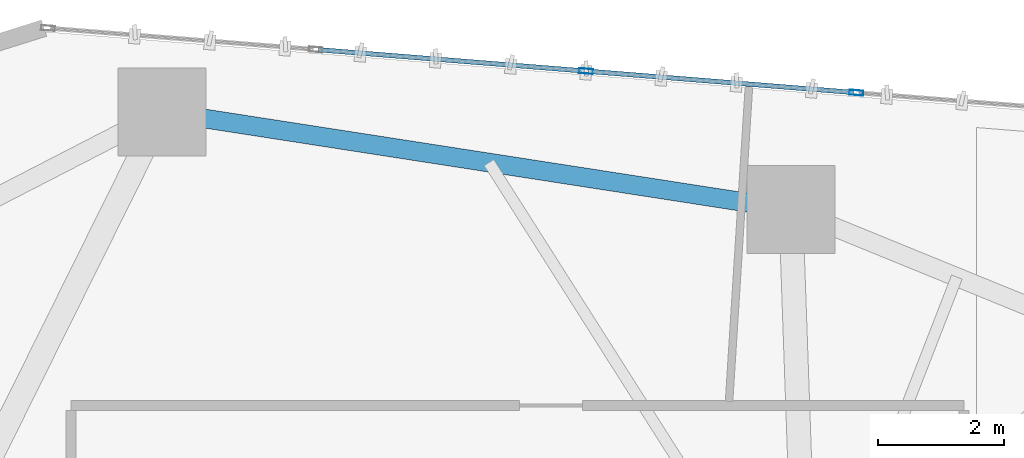
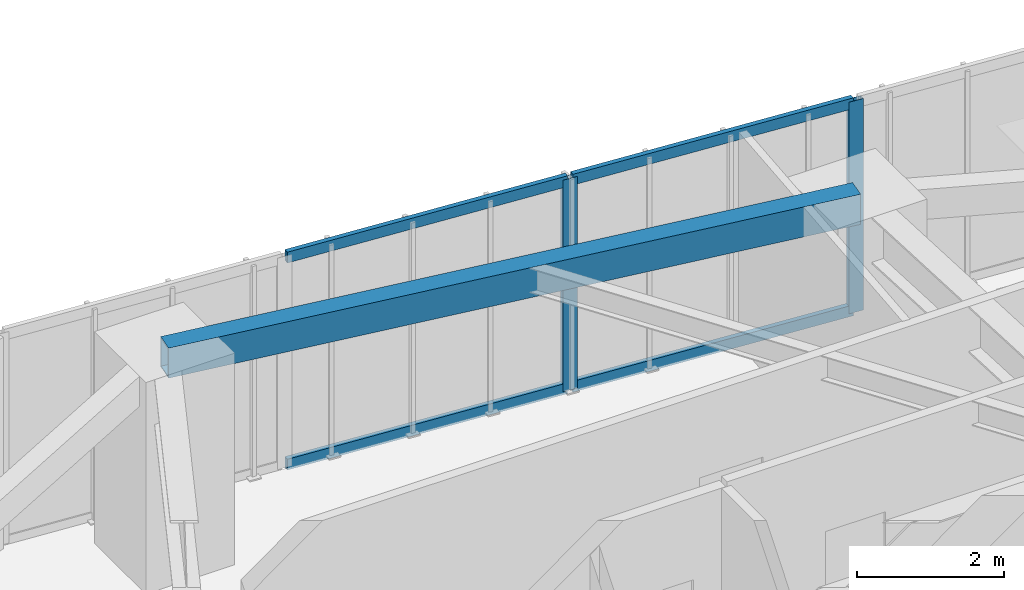
# One storey, part 15 of 23: 6 members, 1 beam, 1 element without a shape of its own.
"""IFC4 building model written with IfcOpenShell, lengths in metres."""

from ifc_helpers import new_model, si_unit, direction, frame, origin, origin_2d, place, context, subcontext, project, spatial, hollow_rectangle, extrude, source, transform, mapped, material, layer, layer_set, material_profile, profile_set, type_object, type_shapes, element, aggregate, save


model = new_model("IFC4")

# Units and contexts
model_context = context("Model", 3, precision=1e-05, world=origin(), true_north=direction((0.0, 1.0)))
body_context = subcontext(model_context, "Body", "Model", "MODEL_VIEW")
ifc_project = project(units=[si_unit("LENGTHUNIT", "METRE"), si_unit("AREAUNIT", "SQUARE_METRE"), si_unit("VOLUMEUNIT", "CUBIC_METRE"), si_unit("PLANEANGLEUNIT", "RADIAN"), si_unit("MASSUNIT", "GRAM", prefix="KILO")], contexts=[model_context])

# Site, building, storey
site_placement = place(None, origin())
site = spatial("IfcSite", under=ifc_project, at=site_placement, CompositionType="ELEMENT")
building_placement = place(site_placement, origin())
building = spatial("IfcBuilding", under=site, at=building_placement, Name="Talar Marvaseh", CompositionType="ELEMENT")
storey_placement = place(building_placement, frame((0.0, 0.0, 77.199951171875)))
storey = spatial("IfcBuildingStorey", under=building, at=storey_placement, Name="L19", CompositionType="ELEMENT", Elevation=77.199951171875)

# Beam
ifc_material_1 = material(Name="Steel S355", Category="steel")
ifc_material_profile_1 = material_profile(ifc_material_1, hollow_rectangle(XDim=0.300048828125, YDim=0.5, WallThickness=0.02001953125, at=origin_2d()), Name="RHS500x300x20")
ifc_profile_set_1 = profile_set([ifc_material_profile_1], Name="Steel S355")
beam_type = type_object("IfcBeamType", Name="Zone 1 Perimeter Spandrel Beam RHS500x300x20", PredefinedType="SPANDREL", material=ifc_profile_set_1)
beam_placement = place(storey_placement, frame((23.047119140625, 45.6669921875, 3.27001953125), z_axis=(0.988210751461, -0.153099675693, 0.0), x_axis=(0.153099675693, 0.988210751461, 0.0)))
element("IfcBeam", 1, at=beam_placement, inside=storey, type_object=beam_type, Name="L19 Zone 1 Perimeter Spandrel Beam RHS500x300x20", PredefinedType="SPANDREL", context=body_context, shape_type="SweptSolid", body=[
    extrude(hollow_rectangle(XDim=0.300048828125, YDim=0.5, WallThickness=0.02001953125, at=origin_2d()), origin(), (0.0, 0.0, 1.0), 10.1181640625),
])

# Curtain wall, members
ifc_material_2 = material(Name="Architectural Aluminium", Category="aluminium")
ifc_layer = layer(ifc_material_2, 0.219970703125)
ifc_layer_set = layer_set([ifc_layer], Name="Architectural Aluminium")
curtain_wall_type = type_object("IfcCurtainWallType", Name="Unitised Low-E Museum Curtain Wall Z1", PredefinedType="NOTDEFINED", material=ifc_layer_set)
curtain_wall_placement = place(storey_placement, origin())
curtain_wall = element("IfcCurtainWall", 2, at=curtain_wall_placement, inside=storey, type_object=curtain_wall_type, Name="L19 Unitised Low-E Museum Curtain Wall Z1", PredefinedType="NOTDEFINED")
ifc_material_profile_2 = material_profile(ifc_material_2, hollow_rectangle(XDim=0.080078125, YDim=0.219970703125, WallThickness=0.0048828125, at=origin_2d()), Name="RHS220x80x5")
ifc_profile_set_2 = profile_set([ifc_material_profile_2], Name="Architectural Aluminium")
member_type_1 = type_object("IfcMemberType", Name="Unitised Curtain Wall Heavy Mullion RHS220x80x5", PredefinedType="MULLION", material=ifc_profile_set_2)
shared_shape_1 = source(origin(), body_context, "Body", "SweptSolid", [
    extrude(hollow_rectangle(XDim=0.080078125, YDim=0.219970703125, WallThickness=0.0048828125, at=origin_2d()), origin(), (0.0, 0.0, 1.0), 3.52001953125),
])
type_shapes(member_type_1, [shared_shape_1])
member_1_placement = place(storey_placement, frame((29.789794921875, 46.316162109375, 0.0), z_axis=(0.0, 0.0, 1.0), x_axis=(0.079640140412, 0.996823679512, 0.0)))
member_1 = element("IfcMember", 3, at=member_1_placement, type_object=member_type_1, Name="CW-Z1 mullion 3", PredefinedType="MULLION", context=body_context, shape_type="MappedRepresentation", body=[
    mapped(shared_shape_1, transform((0.0, 0.0, 0.0), x_axis=(1.0, 0.0, 0.0), y_axis=(0.0, 1.0, 0.0), z_axis=(0.0, 0.0, 1.0), scale=1.0)),
])
member_2_placement = place(storey_placement, frame((34.088134765625, 45.97265625, 0.0), z_axis=(0.0, 0.0, 1.0), x_axis=(0.079640140412, 0.996823679512, 0.0)))
member_2 = element("IfcMember", 4, at=member_2_placement, type_object=member_type_1, Name="CW-Z1 mullion 4", PredefinedType="MULLION", context=body_context, shape_type="MappedRepresentation", body=[
    mapped(shared_shape_1, transform((0.0, 0.0, 0.0), x_axis=(1.0, 0.0, 0.0), y_axis=(0.0, 1.0, 0.0), z_axis=(0.0, 0.0, 1.0), scale=1.0)),
])
ifc_material_profile_3 = material_profile(ifc_material_2, hollow_rectangle(XDim=0.074951171875, YDim=0.179931640625, WallThickness=0.0048828125, at=origin_2d()), Name="RHS180x75x5")
ifc_profile_set_3 = profile_set([ifc_material_profile_3], Name="Architectural Aluminium")
member_type_2 = type_object("IfcMemberType", Name="Unitised Curtain Wall Transom RHS180x75x5", PredefinedType="USERDEFINED", material=ifc_profile_set_3)
shared_shape_2 = source(origin(), body_context, "Body", "SweptSolid", [
    extrude(hollow_rectangle(XDim=0.074951171875, YDim=0.179931640625, WallThickness=0.0048828125, at=origin_2d()), origin(), (0.0, 0.0, 1.0), 4.23193359375),
])
type_shapes(member_type_2, [shared_shape_2])
member_3_placement = place(storey_placement, frame((25.531494140625, 46.65625, 0.03759765625), z_axis=(0.996825908842, -0.079612231854, 0.0), x_axis=(0.079612231854, 0.996825908842, 0.0)))
member_3 = element("IfcMember", 5, at=member_3_placement, type_object=member_type_2, Name="CW-Z1 transom 2.1", ObjectType="TRANSOM", PredefinedType="USERDEFINED", context=body_context, shape_type="MappedRepresentation", body=[
    mapped(shared_shape_2, transform((0.0, 0.0, 0.0), x_axis=(1.0, 0.0, 0.0), y_axis=(0.0, 1.0, 0.0), z_axis=(0.0, 0.0, 1.0), scale=1.0)),
])
member_4_placement = place(storey_placement, frame((25.531494140625, 46.65625, 3.482666015625), z_axis=(0.996825908842, -0.079612231854, 0.0), x_axis=(0.079612231854, 0.996825908842, 0.0)))
member_4 = element("IfcMember", 6, at=member_4_placement, type_object=member_type_2, Name="CW-Z1 transom 2.2", ObjectType="TRANSOM", PredefinedType="USERDEFINED", context=body_context, shape_type="MappedRepresentation", body=[
    mapped(shared_shape_2, transform((0.0, 0.0, 0.0), x_axis=(1.0, 0.0, 0.0), y_axis=(0.0, 1.0, 0.0), z_axis=(0.0, 0.0, 1.0), scale=1.0)),
])
member_5_placement = place(storey_placement, frame((29.829833984375, 46.31298828125, 0.03759765625), z_axis=(0.996821328962, -0.079669555836, 0.0), x_axis=(0.079669555836, 0.996821328962, 0.0)))
member_5 = element("IfcMember", 7, at=member_5_placement, type_object=member_type_2, Name="CW-Z1 transom 3.1", ObjectType="TRANSOM", PredefinedType="USERDEFINED", context=body_context, shape_type="MappedRepresentation", body=[
    mapped(shared_shape_2, transform((0.0, 0.0, 0.0), x_axis=(1.0, 0.0, 0.0), y_axis=(0.0, 1.0, 0.0), z_axis=(0.0, 0.0, 1.0), scale=1.0)),
])
member_6_placement = place(storey_placement, frame((29.829833984375, 46.31298828125, 3.482666015625), z_axis=(0.996821328962, -0.079669555836, 0.0), x_axis=(0.079669555836, 0.996821328962, 0.0)))
member_6 = element("IfcMember", 8, at=member_6_placement, type_object=member_type_2, Name="CW-Z1 transom 3.2", ObjectType="TRANSOM", PredefinedType="USERDEFINED", context=body_context, shape_type="MappedRepresentation", body=[
    mapped(shared_shape_2, transform((0.0, 0.0, 0.0), x_axis=(1.0, 0.0, 0.0), y_axis=(0.0, 1.0, 0.0), z_axis=(0.0, 0.0, 1.0), scale=1.0)),
])
aggregate(curtain_wall, [member_1, member_2, member_3, member_4, member_5, member_6])

save(model, "model.ifc")
